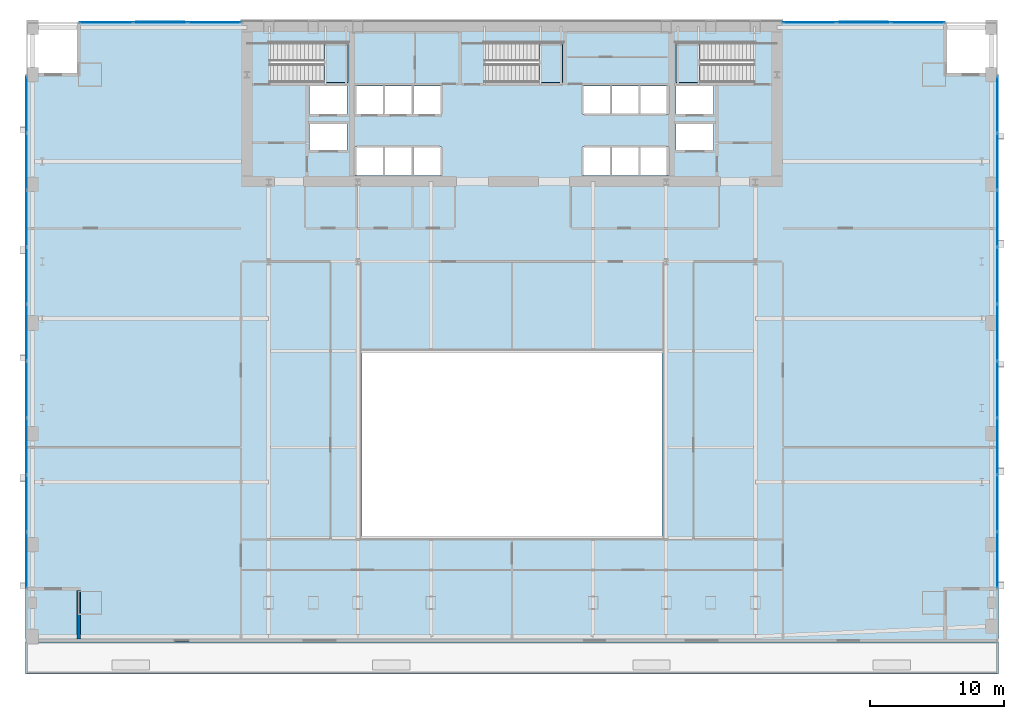
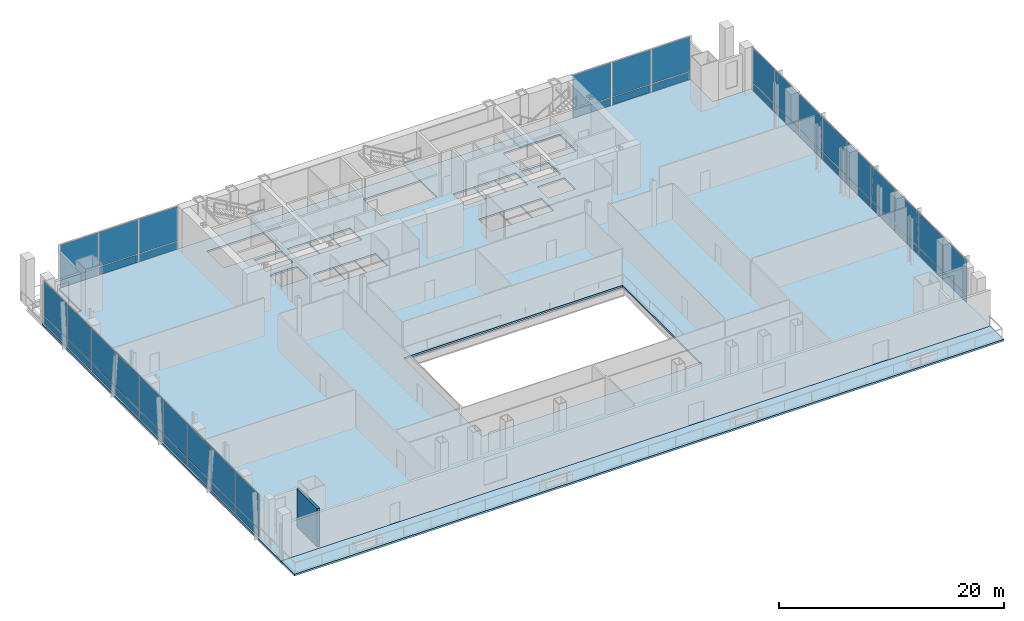
# One storey, part 19 of 26: 50 plates, 5 slabs, 1 wall, 7 elements without a shape of their own.
"""IFC4 building model written with IfcOpenShell, lengths in metres."""

from ifc_helpers import new_model, si_unit, direction, frame, frame_2d, origin, origin_2d, place, context, subcontext, project, spatial, polyline, rectangle, outline, extrude, material, layer, layer_set, type_object, element, aggregate, save


model = new_model("IFC4")

# Units and contexts
model_context = context("Model", 3, precision=1e-05, world=origin(), true_north=direction((0.0, 1.0)))
body_context = subcontext(model_context, "Body", "Model", "MODEL_VIEW")
ifc_project = project(units=[si_unit("LENGTHUNIT", "METRE"), si_unit("AREAUNIT", "SQUARE_METRE"), si_unit("VOLUMEUNIT", "CUBIC_METRE"), si_unit("PLANEANGLEUNIT", "RADIAN"), si_unit("MASSUNIT", "GRAM", prefix="KILO")], contexts=[model_context])

# Site, building, storey
site_placement = place(None, origin())
site = spatial("IfcSite", under=ifc_project, at=site_placement, CompositionType="ELEMENT")
building_placement = place(site_placement, origin())
building = spatial("IfcBuilding", under=site, at=building_placement, Name="Khoronbel Lancet Exchange", CompositionType="ELEMENT")
storey_placement = place(building_placement, frame((0.0, 0.0, 5.39990234375)))
storey = spatial("IfcBuildingStorey", under=building, at=storey_placement, Name="L01", CompositionType="ELEMENT", Elevation=5.39990234375)

# Curtain wall, plate
ifc_material_1 = material(Name="Low-E Solar Control Insulating Glass", Category="glass")
curtain_wall_type = type_object("IfcCurtainWallType", Name="CW-5", PredefinedType="NOTDEFINED", material=ifc_material_1)
curtain_wall_1_placement = place(storey_placement, origin())
curtain_wall_1 = element("IfcCurtainWall", 1, at=curtain_wall_1_placement, inside=storey, type_object=curtain_wall_type, Name="Unitised curtain wall CW-L01-NW", PredefinedType="NOTDEFINED")
ifc_material_2 = material(Name="Bronze-Anodised Aluminium 6063-T6", Category="aluminium")
ifc_layer_1 = layer(ifc_material_2, 0.050048828125, Name="Bronze-Anodised Aluminium 6063-T6")
ifc_layer_set_1 = layer_set([ifc_layer_1], Name="Bronze-Anodised Aluminium 6063-T6")
plate_type_1 = type_object("IfcPlateType", Name="PLT-CSP1", PredefinedType="SHEET", material=ifc_layer_set_1)
plate_1_placement = place(storey_placement, frame((10.110107421875, 53.659912109375, 0.05029296875), z_axis=(0.0, 0.0, 1.0), x_axis=(1.0, 0.0, 0.0)))
plate_1 = element("IfcPlate", 2, at=plate_1_placement, type_object=plate_type_1, Name="Insulated bronze spandrel cassette CW-L01-NW", PredefinedType="SHEET", context=body_context, shape_type="SweptSolid", body=[
    extrude(rectangle(XDim=3.60009765625, YDim=0.050048828125, at=origin_2d()), origin(), (0.0, 0.0, 1.0), 0.800048828125),
])

curtain_wall_2_placement = place(storey_placement, origin())
curtain_wall_2 = element("IfcCurtainWall", 3, at=curtain_wall_2_placement, inside=storey, type_object=curtain_wall_type, Name="Unitised curtain wall CW-L01-NE", PredefinedType="NOTDEFINED")
plate_2_placement = place(storey_placement, frame((62.7900390625, 53.659912109375, 0.05029296875), z_axis=(0.0, 0.0, 1.0), x_axis=(1.0, 0.0, 0.0)))
plate_2 = element("IfcPlate", 4, at=plate_2_placement, type_object=plate_type_1, Name="Insulated bronze spandrel cassette CW-L01-NE", PredefinedType="SHEET", context=body_context, shape_type="SweptSolid", body=[
    extrude(rectangle(XDim=3.60009765625, YDim=0.050048828125, at=origin_2d()), origin(), (0.0, 0.0, 1.0), 0.800048828125),
])

# Curtain wall, plates
curtain_wall_3_placement = place(storey_placement, origin())
curtain_wall_3 = element("IfcCurtainWall", 5, at=curtain_wall_3_placement, inside=storey, type_object=curtain_wall_type, Name="Unitised curtain wall CW-L01-WEST", PredefinedType="NOTDEFINED")
ifc_layer_2 = layer(ifc_material_1, 0.035888671875, Name="Low-E Solar Control Insulating Glass")
ifc_layer_set_2 = layer_set([ifc_layer_2], Name="Low-E Solar Control Insulating Glass")
plate_type_2 = type_object("IfcPlateType", Name="PLT-CWP1", PredefinedType="CURTAIN_PANEL", material=ifc_layer_set_2)
plate_3_placement = place(storey_placement, frame((0.10009765625, 47.4453125, 0.0751953125), z_axis=(0.0, 0.0, 1.0), x_axis=(0.0, -1.0, 0.0)))
plate_3 = element("IfcPlate", 6, at=plate_3_placement, type_object=plate_type_2, Name="CW5 panel 1.1", PredefinedType="CURTAIN_PANEL", context=body_context, shape_type="SweptSolid", body=[
    extrude(rectangle(XDim=4.13916015625, YDim=0.0380859375, at=origin_2d()), origin(), (0.0, 0.0, 1.0), 0.83740234375),
])
plate_4_placement = place(storey_placement, frame((0.10009765625, 47.4453125, 0.98779296875), z_axis=(0.0, 0.0, 1.0), x_axis=(0.0, -1.0, 0.0)))
plate_4 = element("IfcPlate", 7, at=plate_4_placement, type_object=plate_type_2, Name="CW5 panel 1.2", PredefinedType="CURTAIN_PANEL", context=body_context, shape_type="SweptSolid", body=[
    extrude(rectangle(XDim=4.13916015625, YDim=0.0380859375, at=origin_2d()), origin(), (0.0, 0.0, 1.0), 3.737548828125),
])
plate_5_placement = place(storey_placement, frame((0.10009765625, 43.199951171875, 0.0751953125), z_axis=(0.0, 0.0, 1.0), x_axis=(0.0, -1.0, 0.0)))
plate_5 = element("IfcPlate", 8, at=plate_5_placement, type_object=plate_type_2, Name="CW5 panel 2.1", PredefinedType="CURTAIN_PANEL", context=body_context, shape_type="SweptSolid", body=[
    extrude(rectangle(XDim=4.181640625, YDim=0.0380859375, at=origin_2d()), origin(), (0.0, 0.0, 1.0), 0.83740234375),
])
plate_6_placement = place(storey_placement, frame((0.10009765625, 43.199951171875, 0.98779296875), z_axis=(0.0, 0.0, 1.0), x_axis=(0.0, -1.0, 0.0)))
plate_6 = element("IfcPlate", 9, at=plate_6_placement, type_object=plate_type_2, Name="CW5 panel 2.2", PredefinedType="CURTAIN_PANEL", context=body_context, shape_type="SweptSolid", body=[
    extrude(rectangle(XDim=4.181640625, YDim=0.0380859375, at=origin_2d()), origin(), (0.0, 0.0, 1.0), 3.737548828125),
])
plate_7_placement = place(storey_placement, frame((0.10009765625, 38.933349609375, 0.0751953125), z_axis=(0.0, 0.0, 1.0), x_axis=(0.0, -1.0, 0.0)))
plate_7 = element("IfcPlate", 10, at=plate_7_placement, type_object=plate_type_2, Name="CW5 panel 3.1", PredefinedType="CURTAIN_PANEL", context=body_context, shape_type="SweptSolid", body=[
    extrude(rectangle(XDim=4.181640625, YDim=0.0380859375, at=origin_2d()), origin(), (0.0, 0.0, 1.0), 0.83740234375),
])
plate_8_placement = place(storey_placement, frame((0.10009765625, 38.933349609375, 0.98779296875), z_axis=(0.0, 0.0, 1.0), x_axis=(0.0, -1.0, 0.0)))
plate_8 = element("IfcPlate", 11, at=plate_8_placement, type_object=plate_type_2, Name="CW5 panel 3.2", PredefinedType="CURTAIN_PANEL", context=body_context, shape_type="SweptSolid", body=[
    extrude(rectangle(XDim=4.181640625, YDim=0.0380859375, at=origin_2d()), origin(), (0.0, 0.0, 1.0), 3.737548828125),
])
plate_9_placement = place(storey_placement, frame((0.10009765625, 34.666748046875, 0.0751953125), z_axis=(0.0, 0.0, 1.0), x_axis=(0.0, -1.0, 0.0)))
plate_9 = element("IfcPlate", 12, at=plate_9_placement, type_object=plate_type_2, Name="CW5 panel 4.1", PredefinedType="CURTAIN_PANEL", context=body_context, shape_type="SweptSolid", body=[
    extrude(rectangle(XDim=4.181640625, YDim=0.0380859375, at=origin_2d()), origin(), (0.0, 0.0, 1.0), 0.83740234375),
])
plate_10_placement = place(storey_placement, frame((0.10009765625, 34.666748046875, 0.98779296875), z_axis=(0.0, 0.0, 1.0), x_axis=(0.0, -1.0, 0.0)))
plate_10 = element("IfcPlate", 13, at=plate_10_placement, type_object=plate_type_2, Name="CW5 panel 4.2", PredefinedType="CURTAIN_PANEL", context=body_context, shape_type="SweptSolid", body=[
    extrude(rectangle(XDim=4.181640625, YDim=0.0380859375, at=origin_2d()), origin(), (0.0, 0.0, 1.0), 3.737548828125),
])
plate_11_placement = place(storey_placement, frame((0.10009765625, 30.39990234375, 0.0751953125), z_axis=(0.0, 0.0, 1.0), x_axis=(0.0, -1.0, 0.0)))
plate_11 = element("IfcPlate", 14, at=plate_11_placement, type_object=plate_type_2, Name="CW5 panel 5.1", PredefinedType="CURTAIN_PANEL", context=body_context, shape_type="SweptSolid", body=[
    extrude(rectangle(XDim=4.181640625, YDim=0.0380859375, at=origin_2d()), origin(), (0.0, 0.0, 1.0), 0.83740234375),
])
plate_12_placement = place(storey_placement, frame((0.10009765625, 30.39990234375, 0.98779296875), z_axis=(0.0, 0.0, 1.0), x_axis=(0.0, -1.0, 0.0)))
plate_12 = element("IfcPlate", 15, at=plate_12_placement, type_object=plate_type_2, Name="CW5 panel 5.2", PredefinedType="CURTAIN_PANEL", context=body_context, shape_type="SweptSolid", body=[
    extrude(rectangle(XDim=4.181640625, YDim=0.0380859375, at=origin_2d()), origin(), (0.0, 0.0, 1.0), 3.737548828125),
])
plate_13_placement = place(storey_placement, frame((0.10009765625, 26.13330078125, 0.0751953125), z_axis=(0.0, 0.0, 1.0), x_axis=(0.0, -1.0, 0.0)))
plate_13 = element("IfcPlate", 16, at=plate_13_placement, type_object=plate_type_2, Name="CW5 panel 6.1", PredefinedType="CURTAIN_PANEL", context=body_context, shape_type="SweptSolid", body=[
    extrude(rectangle(XDim=4.181640625, YDim=0.0380859375, at=origin_2d()), origin(), (0.0, 0.0, 1.0), 0.83740234375),
])
plate_14_placement = place(storey_placement, frame((0.10009765625, 26.13330078125, 0.98779296875), z_axis=(0.0, 0.0, 1.0), x_axis=(0.0, -1.0, 0.0)))
plate_14 = element("IfcPlate", 17, at=plate_14_placement, type_object=plate_type_2, Name="CW5 panel 6.2", PredefinedType="CURTAIN_PANEL", context=body_context, shape_type="SweptSolid", body=[
    extrude(rectangle(XDim=4.181640625, YDim=0.0380859375, at=origin_2d()), origin(), (0.0, 0.0, 1.0), 3.737548828125),
])
plate_15_placement = place(storey_placement, frame((0.10009765625, 21.86669921875, 0.0751953125), z_axis=(0.0, 0.0, 1.0), x_axis=(0.0, -1.0, 0.0)))
plate_15 = element("IfcPlate", 18, at=plate_15_placement, type_object=plate_type_2, Name="CW5 panel 7.1", PredefinedType="CURTAIN_PANEL", context=body_context, shape_type="SweptSolid", body=[
    extrude(rectangle(XDim=4.181640625, YDim=0.0380859375, at=origin_2d()), origin(), (0.0, 0.0, 1.0), 0.83740234375),
])
plate_16_placement = place(storey_placement, frame((0.10009765625, 21.86669921875, 0.98779296875), z_axis=(0.0, 0.0, 1.0), x_axis=(0.0, -1.0, 0.0)))
plate_16 = element("IfcPlate", 19, at=plate_16_placement, type_object=plate_type_2, Name="CW5 panel 7.2", PredefinedType="CURTAIN_PANEL", context=body_context, shape_type="SweptSolid", body=[
    extrude(rectangle(XDim=4.181640625, YDim=0.0380859375, at=origin_2d()), origin(), (0.0, 0.0, 1.0), 3.737548828125),
])
plate_17_placement = place(storey_placement, frame((0.10009765625, 17.60009765625, 0.0751953125), z_axis=(0.0, 0.0, 1.0), x_axis=(0.0, -1.0, 0.0)))
plate_17 = element("IfcPlate", 20, at=plate_17_placement, type_object=plate_type_2, Name="CW5 panel 8.1", PredefinedType="CURTAIN_PANEL", context=body_context, shape_type="SweptSolid", body=[
    extrude(rectangle(XDim=4.181640625, YDim=0.0380859375, at=origin_2d()), origin(), (0.0, 0.0, 1.0), 0.83740234375),
])
plate_18_placement = place(storey_placement, frame((0.10009765625, 17.60009765625, 0.98779296875), z_axis=(0.0, 0.0, 1.0), x_axis=(0.0, -1.0, 0.0)))
plate_18 = element("IfcPlate", 21, at=plate_18_placement, type_object=plate_type_2, Name="CW5 panel 8.2", PredefinedType="CURTAIN_PANEL", context=body_context, shape_type="SweptSolid", body=[
    extrude(rectangle(XDim=4.181640625, YDim=0.0380859375, at=origin_2d()), origin(), (0.0, 0.0, 1.0), 3.737548828125),
])
plate_19_placement = place(storey_placement, frame((0.10009765625, 13.3544921875, 0.0751953125), z_axis=(0.0, 0.0, 1.0), x_axis=(0.0, -1.0, 0.0)))
plate_19 = element("IfcPlate", 22, at=plate_19_placement, type_object=plate_type_2, Name="CW5 panel 9.1", PredefinedType="CURTAIN_PANEL", context=body_context, shape_type="SweptSolid", body=[
    extrude(rectangle(XDim=4.13916015625, YDim=0.0380859375, at=origin_2d()), origin(), (0.0, 0.0, 1.0), 0.83740234375),
])
plate_20_placement = place(storey_placement, frame((0.10009765625, 13.3544921875, 0.98779296875), z_axis=(0.0, 0.0, 1.0), x_axis=(0.0, -1.0, 0.0)))
plate_20 = element("IfcPlate", 23, at=plate_20_placement, type_object=plate_type_2, Name="CW5 panel 9.2", PredefinedType="CURTAIN_PANEL", context=body_context, shape_type="SweptSolid", body=[
    extrude(rectangle(XDim=4.13916015625, YDim=0.0380859375, at=origin_2d()), origin(), (0.0, 0.0, 1.0), 3.737548828125),
])
aggregate(curtain_wall_3, [plate_3, plate_4, plate_5, plate_6, plate_7, plate_8, plate_9, plate_10, plate_11, plate_12, plate_13, plate_14, plate_15, plate_16, plate_17, plate_18, plate_19, plate_20])

curtain_wall_4_placement = place(storey_placement, origin())
curtain_wall_4 = element("IfcCurtainWall", 24, at=curtain_wall_4_placement, inside=storey, type_object=curtain_wall_type, Name="Unitised curtain wall CW-L01-EAST", PredefinedType="NOTDEFINED")
plate_21_placement = place(storey_placement, frame((72.800048828125, 13.3544921875, 0.0751953125), z_axis=(0.0, 0.0, 1.0), x_axis=(0.0, 1.0, 0.0)))
plate_21 = element("IfcPlate", 25, at=plate_21_placement, type_object=plate_type_2, Name="CW5 panel 1.1", PredefinedType="CURTAIN_PANEL", context=body_context, shape_type="SweptSolid", body=[
    extrude(rectangle(XDim=4.13916015625, YDim=0.0380859375, at=origin_2d()), origin(), (0.0, 0.0, 1.0), 0.83740234375),
])
plate_22_placement = place(storey_placement, frame((72.800048828125, 13.3544921875, 0.98779296875), z_axis=(0.0, 0.0, 1.0), x_axis=(0.0, 1.0, 0.0)))
plate_22 = element("IfcPlate", 26, at=plate_22_placement, type_object=plate_type_2, Name="CW5 panel 1.2", PredefinedType="CURTAIN_PANEL", context=body_context, shape_type="SweptSolid", body=[
    extrude(rectangle(XDim=4.13916015625, YDim=0.0380859375, at=origin_2d()), origin(), (0.0, 0.0, 1.0), 3.737548828125),
])
plate_23_placement = place(storey_placement, frame((72.800048828125, 17.60009765625, 0.0751953125), z_axis=(0.0, 0.0, 1.0), x_axis=(0.0, 1.0, 0.0)))
plate_23 = element("IfcPlate", 27, at=plate_23_placement, type_object=plate_type_2, Name="CW5 panel 2.1", PredefinedType="CURTAIN_PANEL", context=body_context, shape_type="SweptSolid", body=[
    extrude(rectangle(XDim=4.181640625, YDim=0.0380859375, at=origin_2d()), origin(), (0.0, 0.0, 1.0), 0.83740234375),
])
plate_24_placement = place(storey_placement, frame((72.800048828125, 17.60009765625, 0.98779296875), z_axis=(0.0, 0.0, 1.0), x_axis=(0.0, 1.0, 0.0)))
plate_24 = element("IfcPlate", 28, at=plate_24_placement, type_object=plate_type_2, Name="CW5 panel 2.2", PredefinedType="CURTAIN_PANEL", context=body_context, shape_type="SweptSolid", body=[
    extrude(rectangle(XDim=4.181640625, YDim=0.0380859375, at=origin_2d()), origin(), (0.0, 0.0, 1.0), 3.737548828125),
])
plate_25_placement = place(storey_placement, frame((72.800048828125, 21.86669921875, 0.0751953125), z_axis=(0.0, 0.0, 1.0), x_axis=(0.0, 1.0, 0.0)))
plate_25 = element("IfcPlate", 29, at=plate_25_placement, type_object=plate_type_2, Name="CW5 panel 3.1", PredefinedType="CURTAIN_PANEL", context=body_context, shape_type="SweptSolid", body=[
    extrude(rectangle(XDim=4.181640625, YDim=0.0380859375, at=origin_2d()), origin(), (0.0, 0.0, 1.0), 0.83740234375),
])
plate_26_placement = place(storey_placement, frame((72.800048828125, 21.86669921875, 0.98779296875), z_axis=(0.0, 0.0, 1.0), x_axis=(0.0, 1.0, 0.0)))
plate_26 = element("IfcPlate", 30, at=plate_26_placement, type_object=plate_type_2, Name="CW5 panel 3.2", PredefinedType="CURTAIN_PANEL", context=body_context, shape_type="SweptSolid", body=[
    extrude(rectangle(XDim=4.181640625, YDim=0.0380859375, at=origin_2d()), origin(), (0.0, 0.0, 1.0), 3.737548828125),
])
plate_27_placement = place(storey_placement, frame((72.800048828125, 26.13330078125, 0.0751953125), z_axis=(0.0, 0.0, 1.0), x_axis=(0.0, 1.0, 0.0)))
plate_27 = element("IfcPlate", 31, at=plate_27_placement, type_object=plate_type_2, Name="CW5 panel 4.1", PredefinedType="CURTAIN_PANEL", context=body_context, shape_type="SweptSolid", body=[
    extrude(rectangle(XDim=4.181640625, YDim=0.0380859375, at=origin_2d()), origin(), (0.0, 0.0, 1.0), 0.83740234375),
])
plate_28_placement = place(storey_placement, frame((72.800048828125, 26.13330078125, 0.98779296875), z_axis=(0.0, 0.0, 1.0), x_axis=(0.0, 1.0, 0.0)))
plate_28 = element("IfcPlate", 32, at=plate_28_placement, type_object=plate_type_2, Name="CW5 panel 4.2", PredefinedType="CURTAIN_PANEL", context=body_context, shape_type="SweptSolid", body=[
    extrude(rectangle(XDim=4.181640625, YDim=0.0380859375, at=origin_2d()), origin(), (0.0, 0.0, 1.0), 3.737548828125),
])
plate_29_placement = place(storey_placement, frame((72.800048828125, 30.39990234375, 0.0751953125), z_axis=(0.0, 0.0, 1.0), x_axis=(0.0, 1.0, 0.0)))
plate_29 = element("IfcPlate", 33, at=plate_29_placement, type_object=plate_type_2, Name="CW5 panel 5.1", PredefinedType="CURTAIN_PANEL", context=body_context, shape_type="SweptSolid", body=[
    extrude(rectangle(XDim=4.181640625, YDim=0.0380859375, at=origin_2d()), origin(), (0.0, 0.0, 1.0), 0.83740234375),
])
plate_30_placement = place(storey_placement, frame((72.800048828125, 30.39990234375, 0.98779296875), z_axis=(0.0, 0.0, 1.0), x_axis=(0.0, 1.0, 0.0)))
plate_30 = element("IfcPlate", 34, at=plate_30_placement, type_object=plate_type_2, Name="CW5 panel 5.2", PredefinedType="CURTAIN_PANEL", context=body_context, shape_type="SweptSolid", body=[
    extrude(rectangle(XDim=4.181640625, YDim=0.0380859375, at=origin_2d()), origin(), (0.0, 0.0, 1.0), 3.737548828125),
])
plate_31_placement = place(storey_placement, frame((72.800048828125, 34.666748046875, 0.0751953125), z_axis=(0.0, 0.0, 1.0), x_axis=(0.0, 1.0, 0.0)))
plate_31 = element("IfcPlate", 35, at=plate_31_placement, type_object=plate_type_2, Name="CW5 panel 6.1", PredefinedType="CURTAIN_PANEL", context=body_context, shape_type="SweptSolid", body=[
    extrude(rectangle(XDim=4.181640625, YDim=0.0380859375, at=origin_2d()), origin(), (0.0, 0.0, 1.0), 0.83740234375),
])
plate_32_placement = place(storey_placement, frame((72.800048828125, 34.666748046875, 0.98779296875), z_axis=(0.0, 0.0, 1.0), x_axis=(0.0, 1.0, 0.0)))
plate_32 = element("IfcPlate", 36, at=plate_32_placement, type_object=plate_type_2, Name="CW5 panel 6.2", PredefinedType="CURTAIN_PANEL", context=body_context, shape_type="SweptSolid", body=[
    extrude(rectangle(XDim=4.181640625, YDim=0.0380859375, at=origin_2d()), origin(), (0.0, 0.0, 1.0), 3.737548828125),
])
plate_33_placement = place(storey_placement, frame((72.800048828125, 38.933349609375, 0.0751953125), z_axis=(0.0, 0.0, 1.0), x_axis=(0.0, 1.0, 0.0)))
plate_33 = element("IfcPlate", 37, at=plate_33_placement, type_object=plate_type_2, Name="CW5 panel 7.1", PredefinedType="CURTAIN_PANEL", context=body_context, shape_type="SweptSolid", body=[
    extrude(rectangle(XDim=4.181640625, YDim=0.0380859375, at=origin_2d()), origin(), (0.0, 0.0, 1.0), 0.83740234375),
])
plate_34_placement = place(storey_placement, frame((72.800048828125, 38.933349609375, 0.98779296875), z_axis=(0.0, 0.0, 1.0), x_axis=(0.0, 1.0, 0.0)))
plate_34 = element("IfcPlate", 38, at=plate_34_placement, type_object=plate_type_2, Name="CW5 panel 7.2", PredefinedType="CURTAIN_PANEL", context=body_context, shape_type="SweptSolid", body=[
    extrude(rectangle(XDim=4.181640625, YDim=0.0380859375, at=origin_2d()), origin(), (0.0, 0.0, 1.0), 3.737548828125),
])
plate_35_placement = place(storey_placement, frame((72.800048828125, 43.199951171875, 0.0751953125), z_axis=(0.0, 0.0, 1.0), x_axis=(0.0, 1.0, 0.0)))
plate_35 = element("IfcPlate", 39, at=plate_35_placement, type_object=plate_type_2, Name="CW5 panel 8.1", PredefinedType="CURTAIN_PANEL", context=body_context, shape_type="SweptSolid", body=[
    extrude(rectangle(XDim=4.181640625, YDim=0.0380859375, at=origin_2d()), origin(), (0.0, 0.0, 1.0), 0.83740234375),
])
plate_36_placement = place(storey_placement, frame((72.800048828125, 43.199951171875, 0.98779296875), z_axis=(0.0, 0.0, 1.0), x_axis=(0.0, 1.0, 0.0)))
plate_36 = element("IfcPlate", 40, at=plate_36_placement, type_object=plate_type_2, Name="CW5 panel 8.2", PredefinedType="CURTAIN_PANEL", context=body_context, shape_type="SweptSolid", body=[
    extrude(rectangle(XDim=4.181640625, YDim=0.0380859375, at=origin_2d()), origin(), (0.0, 0.0, 1.0), 3.737548828125),
])
plate_37_placement = place(storey_placement, frame((72.800048828125, 47.4453125, 0.0751953125), z_axis=(0.0, 0.0, 1.0), x_axis=(0.0, 1.0, 0.0)))
plate_37 = element("IfcPlate", 41, at=plate_37_placement, type_object=plate_type_2, Name="CW5 panel 9.1", PredefinedType="CURTAIN_PANEL", context=body_context, shape_type="SweptSolid", body=[
    extrude(rectangle(XDim=4.13916015625, YDim=0.0380859375, at=origin_2d()), origin(), (0.0, 0.0, 1.0), 0.83740234375),
])
plate_38_placement = place(storey_placement, frame((72.800048828125, 47.4453125, 0.98779296875), z_axis=(0.0, 0.0, 1.0), x_axis=(0.0, 1.0, 0.0)))
plate_38 = element("IfcPlate", 42, at=plate_38_placement, type_object=plate_type_2, Name="CW5 panel 9.2", PredefinedType="CURTAIN_PANEL", context=body_context, shape_type="SweptSolid", body=[
    extrude(rectangle(XDim=4.13916015625, YDim=0.0380859375, at=origin_2d()), origin(), (0.0, 0.0, 1.0), 3.737548828125),
])
aggregate(curtain_wall_4, [plate_21, plate_22, plate_23, plate_24, plate_25, plate_26, plate_27, plate_28, plate_29, plate_30, plate_31, plate_32, plate_33, plate_34, plate_35, plate_36, plate_37, plate_38])

# Plate
plate_39_placement = place(storey_placement, frame((6.057861328125, 53.60009765625, 0.0751953125), z_axis=(0.0, 0.0, 1.0), x_axis=(1.0, 0.0, 0.0)))
plate_39 = element("IfcPlate", 43, at=plate_39_placement, type_object=plate_type_2, Name="CW5 panel 1.1", PredefinedType="CURTAIN_PANEL", context=body_context, shape_type="SweptSolid", body=[
    extrude(rectangle(XDim=3.94580078125, YDim=0.0380859375, at=origin_2d()), origin(), (0.0, 0.0, 1.0), 0.83740234375),
])

plate_40_placement = place(storey_placement, frame((6.057861328125, 53.60009765625, 0.98779296875), z_axis=(0.0, 0.0, 1.0), x_axis=(1.0, 0.0, 0.0)))
plate_40 = element("IfcPlate", 44, at=plate_40_placement, type_object=plate_type_2, Name="CW5 panel 1.2", PredefinedType="CURTAIN_PANEL", context=body_context, shape_type="SweptSolid", body=[
    extrude(rectangle(XDim=3.94580078125, YDim=0.0380859375, at=origin_2d()), origin(), (0.0, 0.0, 1.0), 3.737548828125),
])

plate_41_placement = place(storey_placement, frame((10.110107421875, 53.60009765625, 0.0751953125), z_axis=(0.0, 0.0, 1.0), x_axis=(1.0, 0.0, 0.0)))
plate_41 = element("IfcPlate", 45, at=plate_41_placement, type_object=plate_type_2, Name="CW5 panel 2.1", PredefinedType="CURTAIN_PANEL", context=body_context, shape_type="SweptSolid", body=[
    extrude(rectangle(XDim=3.98828125, YDim=0.0380859375, at=origin_2d()), origin(), (0.0, 0.0, 1.0), 0.83740234375),
])

plate_42_placement = place(storey_placement, frame((10.110107421875, 53.60009765625, 0.98779296875), z_axis=(0.0, 0.0, 1.0), x_axis=(1.0, 0.0, 0.0)))
plate_42 = element("IfcPlate", 46, at=plate_42_placement, type_object=plate_type_2, Name="CW5 panel 2.2", PredefinedType="CURTAIN_PANEL", context=body_context, shape_type="SweptSolid", body=[
    extrude(rectangle(XDim=3.98828125, YDim=0.0380859375, at=origin_2d()), origin(), (0.0, 0.0, 1.0), 3.737548828125),
])

plate_43_placement = place(storey_placement, frame((14.162109375, 53.60009765625, 0.0751953125), z_axis=(0.0, 0.0, 1.0), x_axis=(1.0, 0.0, 0.0)))
plate_43 = element("IfcPlate", 47, at=plate_43_placement, type_object=plate_type_2, Name="CW5 panel 3.1", PredefinedType="CURTAIN_PANEL", context=body_context, shape_type="SweptSolid", body=[
    extrude(rectangle(XDim=3.94580078125, YDim=0.0380859375, at=origin_2d()), origin(), (0.0, 0.0, 1.0), 0.83740234375),
])

plate_44_placement = place(storey_placement, frame((14.162109375, 53.60009765625, 0.98779296875), z_axis=(0.0, 0.0, 1.0), x_axis=(1.0, 0.0, 0.0)))
plate_44 = element("IfcPlate", 48, at=plate_44_placement, type_object=plate_type_2, Name="CW5 panel 3.2", PredefinedType="CURTAIN_PANEL", context=body_context, shape_type="SweptSolid", body=[
    extrude(rectangle(XDim=3.94580078125, YDim=0.0380859375, at=origin_2d()), origin(), (0.0, 0.0, 1.0), 3.737548828125),
])

aggregate(curtain_wall_1, [plate_39, plate_40, plate_41, plate_42, plate_43, plate_44, plate_1])

plate_45_placement = place(storey_placement, frame((58.738037109375, 53.60009765625, 0.0751953125), z_axis=(0.0, 0.0, 1.0), x_axis=(1.0, 0.0, 0.0)))
plate_45 = element("IfcPlate", 49, at=plate_45_placement, type_object=plate_type_2, Name="CW5 panel 1.1", PredefinedType="CURTAIN_PANEL", context=body_context, shape_type="SweptSolid", body=[
    extrude(rectangle(XDim=3.94580078125, YDim=0.0380859375, at=origin_2d()), origin(), (0.0, 0.0, 1.0), 0.83740234375),
])

plate_46_placement = place(storey_placement, frame((58.738037109375, 53.60009765625, 0.98779296875), z_axis=(0.0, 0.0, 1.0), x_axis=(1.0, 0.0, 0.0)))
plate_46 = element("IfcPlate", 50, at=plate_46_placement, type_object=plate_type_2, Name="CW5 panel 1.2", PredefinedType="CURTAIN_PANEL", context=body_context, shape_type="SweptSolid", body=[
    extrude(rectangle(XDim=3.94580078125, YDim=0.0380859375, at=origin_2d()), origin(), (0.0, 0.0, 1.0), 3.737548828125),
])

plate_47_placement = place(storey_placement, frame((62.7900390625, 53.60009765625, 0.0751953125), z_axis=(0.0, 0.0, 1.0), x_axis=(1.0, 0.0, 0.0)))
plate_47 = element("IfcPlate", 51, at=plate_47_placement, type_object=plate_type_2, Name="CW5 panel 2.1", PredefinedType="CURTAIN_PANEL", context=body_context, shape_type="SweptSolid", body=[
    extrude(rectangle(XDim=3.98828125, YDim=0.0380859375, at=origin_2d()), origin(), (0.0, 0.0, 1.0), 0.83740234375),
])

plate_48_placement = place(storey_placement, frame((62.7900390625, 53.60009765625, 0.98779296875), z_axis=(0.0, 0.0, 1.0), x_axis=(1.0, 0.0, 0.0)))
plate_48 = element("IfcPlate", 52, at=plate_48_placement, type_object=plate_type_2, Name="CW5 panel 2.2", PredefinedType="CURTAIN_PANEL", context=body_context, shape_type="SweptSolid", body=[
    extrude(rectangle(XDim=3.98828125, YDim=0.0380859375, at=origin_2d()), origin(), (0.0, 0.0, 1.0), 3.737548828125),
])

plate_49_placement = place(storey_placement, frame((66.842041015625, 53.60009765625, 0.0751953125), z_axis=(0.0, 0.0, 1.0), x_axis=(1.0, 0.0, 0.0)))
plate_49 = element("IfcPlate", 53, at=plate_49_placement, type_object=plate_type_2, Name="CW5 panel 3.1", PredefinedType="CURTAIN_PANEL", context=body_context, shape_type="SweptSolid", body=[
    extrude(rectangle(XDim=3.94580078125, YDim=0.0380859375, at=origin_2d()), origin(), (0.0, 0.0, 1.0), 0.83740234375),
])

plate_50_placement = place(storey_placement, frame((66.842041015625, 53.60009765625, 0.98779296875), z_axis=(0.0, 0.0, 1.0), x_axis=(1.0, 0.0, 0.0)))
plate_50 = element("IfcPlate", 54, at=plate_50_placement, type_object=plate_type_2, Name="CW5 panel 3.2", PredefinedType="CURTAIN_PANEL", context=body_context, shape_type="SweptSolid", body=[
    extrude(rectangle(XDim=3.94580078125, YDim=0.0380859375, at=origin_2d()), origin(), (0.0, 0.0, 1.0), 3.737548828125),
])

aggregate(curtain_wall_2, [plate_45, plate_46, plate_47, plate_48, plate_49, plate_50, plate_2])

# Slab
ifc_material_3 = material(Name="Concrete C40/50", Category="concrete")
ifc_layer_3 = layer(ifc_material_3, 0.199951171875, Name="Concrete C40/50")
ifc_layer_set_3 = layer_set([ifc_layer_3], Name="Concrete C40/50")
slab_type_1 = type_object("IfcSlabType", Name="SL-FL200", PredefinedType="FLOOR", material=ifc_layer_set_3)
slab_1_placement = place(storey_placement, frame((0.0, 0.0, -0.199951171875)))
element("IfcSlab", 55, at=slab_1_placement, inside=storey, type_object=slab_type_1, Name="Level L01 composite structural floor slab", PredefinedType="FLOOR", context=body_context, shape_type="SweptSolid", body=[
    extrude(outline(polyline([(0.0, 7.199951171875), (72.89990234375, 7.199951171875), (72.89990234375, 49.699951171875), (68.89990234375, 49.699951171875), (68.89990234375, 53.699951171875), (4.0, 53.699951171875), (4.0, 49.699951171875), (0.0, 49.699951171875), (0.0, 7.199951171875)]), holes=[polyline([(18.324951171875, 49.1201171875), (24.14990234375, 49.1201171875), (24.14990234375, 52.10009765625), (18.324951171875, 52.10009765625), (18.324951171875, 49.1201171875)]), polyline([(48.75, 49.1201171875), (54.574951171875, 49.1201171875), (54.574951171875, 52.10009765625), (48.75, 52.10009765625), (48.75, 49.1201171875)]), polyline([(34.425048828125, 49.1201171875), (40.25, 49.1201171875), (40.25, 52.10009765625), (34.425048828125, 52.10009765625), (34.425048828125, 49.1201171875)]), polyline([(24.699951171875, 46.75), (26.840087890625, 46.75), (26.840087890625, 48.85009765625), (24.699951171875, 48.85009765625), (24.699951171875, 46.75)]), polyline([(26.860107421875, 46.75), (29.0, 46.75), (29.0, 48.85009765625), (26.860107421875, 48.85009765625), (26.860107421875, 46.75)]), polyline([(29.02001953125, 46.75), (31.159912109375, 46.75), (31.159912109375, 48.85009765625), (29.02001953125, 48.85009765625), (29.02001953125, 46.75)]), polyline([(24.699951171875, 42.14990234375), (26.840087890625, 42.14990234375), (26.840087890625, 44.300048828125), (24.699951171875, 44.300048828125), (24.699951171875, 42.14990234375)]), polyline([(26.860107421875, 42.14990234375), (29.0, 42.14990234375), (29.0, 44.300048828125), (26.860107421875, 44.300048828125), (26.860107421875, 42.14990234375)]), polyline([(29.02001953125, 42.14990234375), (31.159912109375, 42.14990234375), (31.159912109375, 44.300048828125), (29.02001953125, 44.300048828125), (29.02001953125, 42.14990234375)]), polyline([(41.739990234375, 46.75), (43.8798828125, 46.75), (43.8798828125, 48.85009765625), (41.739990234375, 48.85009765625), (41.739990234375, 46.75)]), polyline([(43.89990234375, 46.75), (46.0400390625, 46.75), (46.0400390625, 48.85009765625), (43.89990234375, 48.85009765625), (43.89990234375, 46.75)]), polyline([(46.06005859375, 46.75), (48.199951171875, 46.75), (48.199951171875, 48.85009765625), (46.06005859375, 48.85009765625), (46.06005859375, 46.75)]), polyline([(41.739990234375, 42.14990234375), (43.8798828125, 42.14990234375), (43.8798828125, 44.300048828125), (41.739990234375, 44.300048828125), (41.739990234375, 42.14990234375)]), polyline([(43.89990234375, 42.14990234375), (46.0400390625, 42.14990234375), (46.0400390625, 44.300048828125), (43.89990234375, 44.300048828125), (43.89990234375, 42.14990234375)]), polyline([(46.06005859375, 42.14990234375), (48.199951171875, 42.14990234375), (48.199951171875, 44.300048828125), (46.06005859375, 44.300048828125), (46.06005859375, 42.14990234375)]), polyline([(21.300048828125, 46.75), (24.10009765625, 46.75), (24.10009765625, 48.85009765625), (21.300048828125, 48.85009765625), (21.300048828125, 46.75)]), polyline([(48.75, 46.75), (51.550048828125, 46.75), (51.550048828125, 48.85009765625), (48.75, 48.85009765625), (48.75, 46.75)]), polyline([(21.300048828125, 44.050048828125), (24.10009765625, 44.050048828125), (24.10009765625, 46.050048828125), (21.300048828125, 46.050048828125), (21.300048828125, 44.050048828125)]), polyline([(48.75, 44.050048828125), (51.550048828125, 44.050048828125), (51.550048828125, 46.050048828125), (48.75, 46.050048828125), (48.75, 44.050048828125)]), polyline([(25.199951171875, 15.0), (47.699951171875, 15.0), (47.699951171875, 29.0), (25.199951171875, 29.0), (25.199951171875, 15.0)])]), origin(), (0.0, 0.0, 1.0), 0.199951171875),
])

# Stair, slab
stair_type = type_object("IfcStairType", Name="STR-CORE150", PredefinedType="HALF_TURN_STAIR", material=ifc_material_3)
stair_1_placement = place(storey_placement, origin())
stair_1 = element("IfcStair", 56, at=stair_1_placement, inside=storey, type_object=stair_type, Name="L01 Protected Exit Stair ST1", PredefinedType="HALF_TURN_STAIR")
ifc_layer_4 = layer(ifc_material_3, 0.199951171875, Name="Concrete C40/50")
ifc_layer_set_4 = layer_set([ifc_layer_4], Name="Concrete C40/50")
slab_type_2 = type_object("IfcSlabType", Name="SL-LND180", PredefinedType="LANDING", material=ifc_layer_set_4)
slab_2_placement = place(storey_placement, frame((0.0, 0.0, 2.300048828125)))
slab_2 = element("IfcSlab", 57, at=slab_2_placement, type_object=slab_type_2, Name="ST1 landing 1", PredefinedType="LANDING", context=body_context, shape_type="SweptSolid", body=[
    extrude(outline(polyline([(22.360107421875, 49.1201171875), (24.14990234375, 49.1201171875), (24.14990234375, 52.10009765625), (22.360107421875, 52.10009765625), (22.360107421875, 49.1201171875)])), origin(), (0.0, 0.0, 1.0), 0.199951171875),
])
aggregate(stair_1, [slab_2])

stair_2_placement = place(storey_placement, origin())
stair_2 = element("IfcStair", 58, at=stair_2_placement, inside=storey, type_object=stair_type, Name="L01 Protected Exit Stair ST2", PredefinedType="HALF_TURN_STAIR")
slab_3_placement = place(storey_placement, frame((0.0, 0.0, 2.300048828125)))
slab_3 = element("IfcSlab", 59, at=slab_3_placement, type_object=slab_type_2, Name="ST2 landing 1", PredefinedType="LANDING", context=body_context, shape_type="SweptSolid", body=[
    extrude(outline(polyline([(50.5400390625, 52.10009765625), (48.75, 52.10009765625), (48.75, 49.1201171875), (50.5400390625, 49.1201171875), (50.5400390625, 52.10009765625)])), origin(), (0.0, 0.0, 1.0), 0.199951171875),
])
aggregate(stair_2, [slab_3])

stair_3_placement = place(storey_placement, origin())
stair_3 = element("IfcStair", 60, at=stair_3_placement, inside=storey, type_object=stair_type, Name="L01 Protected Exit Stair ST3", PredefinedType="HALF_TURN_STAIR")
slab_4_placement = place(storey_placement, frame((0.0, 0.0, 2.300048828125)))
slab_4 = element("IfcSlab", 61, at=slab_4_placement, type_object=slab_type_2, Name="ST3 landing 1", PredefinedType="LANDING", context=body_context, shape_type="SweptSolid", body=[
    extrude(outline(polyline([(38.4599609375, 49.1201171875), (40.25, 49.1201171875), (40.25, 52.10009765625), (38.4599609375, 52.10009765625), (38.4599609375, 49.1201171875)])), origin(), (0.0, 0.0, 1.0), 0.199951171875),
])
aggregate(stair_3, [slab_4])

# Slab
ifc_layer_5 = layer(ifc_material_3, 0.18994140625, Name="Concrete C40/50")
ifc_layer_set_5 = layer_set([ifc_layer_5], Name="Concrete C40/50")
slab_type_3 = type_object("IfcSlabType", Name="SL-TER180", PredefinedType="FLOOR", material=ifc_layer_set_5)
slab_5_placement = place(storey_placement, frame((0.0, 0.0, -0.199951171875)))
element("IfcSlab", 62, at=slab_5_placement, inside=storey, type_object=slab_type_3, Name="Level L01 cascading south planted garden terrace slab", PredefinedType="FLOOR", context=body_context, shape_type="SweptSolid", body=[
    extrude(outline(polyline([(0.0, 4.800048828125), (72.89990234375, 4.800048828125), (72.89990234375, 7.199951171875), (0.0, 7.199951171875), (0.0, 4.800048828125)])), origin(), (0.0, 0.0, 1.0), 0.199951171875),
])

# Wall
ifc_material_4 = material(Name="Precast concrete C40/50", Category="concrete")
ifc_layer_6 = layer(ifc_material_4, 0.25, Name="Precast concrete C40/50")
ifc_layer_set_6 = layer_set([ifc_layer_6], Name="Precast concrete C40/50")
wall_type = type_object("IfcWallType", Name="WL-EXT250", PredefinedType="SOLIDWALL", material=ifc_layer_set_6)
wall_placement = place(storey_placement, frame((4.0, 7.449951171875, 0.0), z_axis=(0.0, 0.0, 1.0), x_axis=(0.0, 1.0, 0.0)))
element("IfcWall", 63, at=wall_placement, inside=storey, type_object=wall_type, Name="Level L01 corner notch exterior wall SWV1", PredefinedType="SOLIDWALL", context=body_context, shape_type="SweptSolid", body=[
    extrude(rectangle(XDim=3.625, YDim=0.25, at=frame_2d((1.8125, 0.0))), origin(), (0.0, 0.0, 1.0), 4.14013671875),
])

save(model, "model.ifc")
